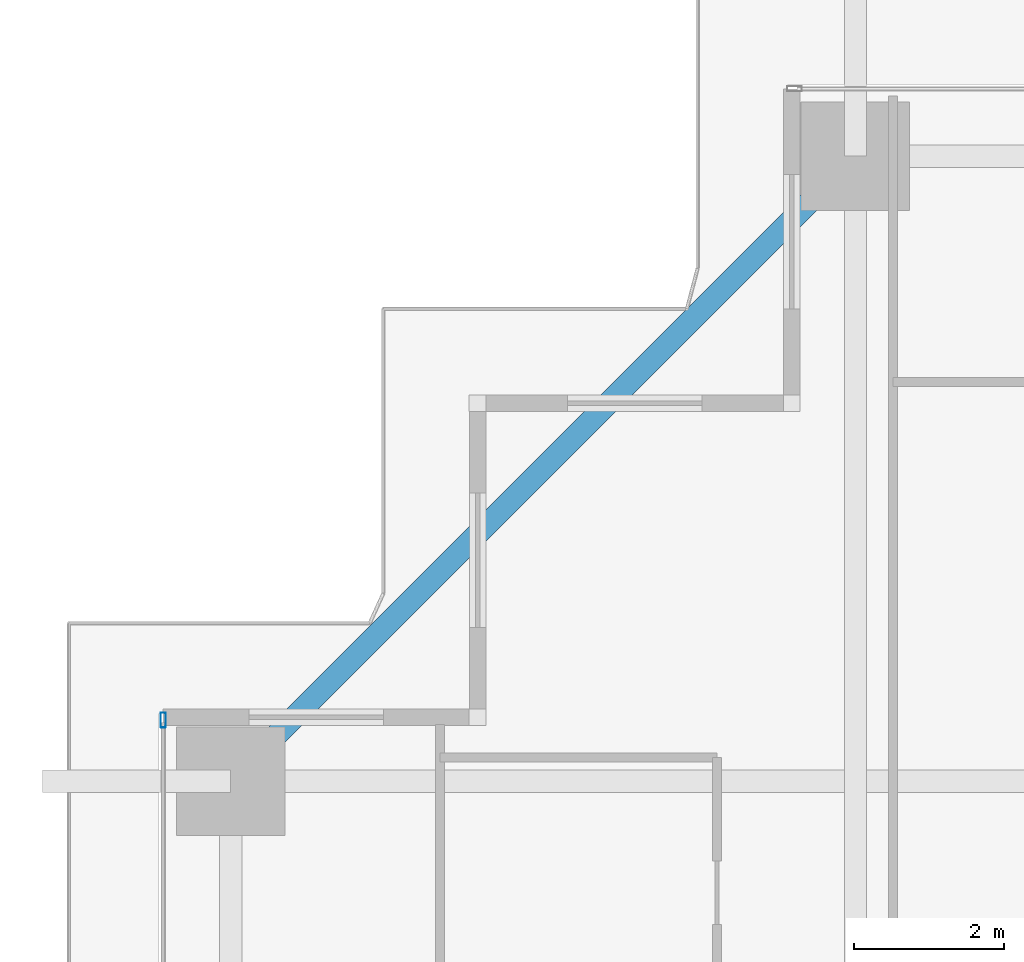
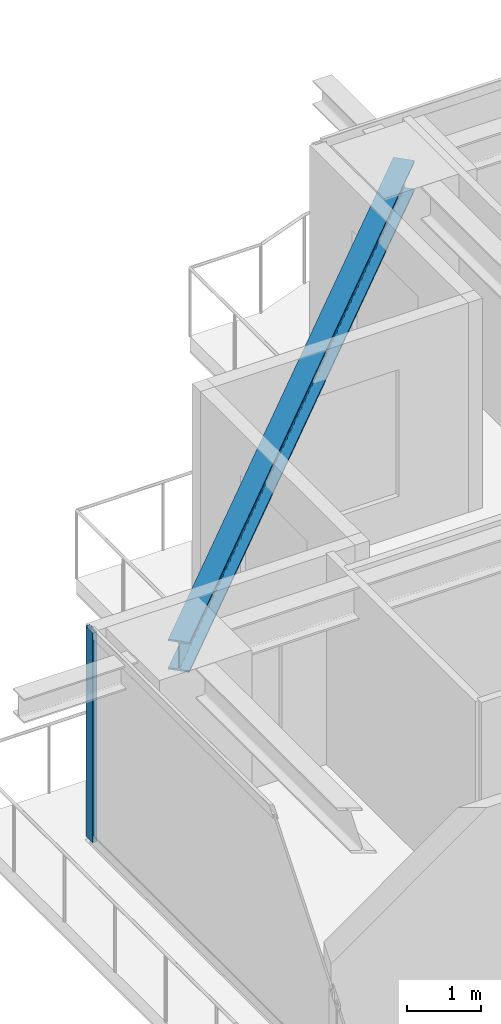
# One storey, part 18 of 38: 1 beam, 1 member, 1 element without a shape of its own.
"""IFC4 building model written with IfcOpenShell, lengths in metres."""

from ifc_helpers import new_model, si_unit, direction, frame, origin, origin_2d, place, context, subcontext, project, spatial, hollow_rectangle, i_section, extrude, source, transform, mapped, material, layer, layer_set, material_profile, profile_set, type_object, element, aggregate, save


model = new_model("IFC4")

# Units and contexts
model_context = context("Model", 3, precision=1e-05, world=origin(), true_north=direction((0.0, 1.0)))
body_context = subcontext(model_context, "Body", "Model", "MODEL_VIEW")
ifc_project = project(units=[si_unit("LENGTHUNIT", "METRE"), si_unit("AREAUNIT", "SQUARE_METRE"), si_unit("VOLUMEUNIT", "CUBIC_METRE"), si_unit("PLANEANGLEUNIT", "RADIAN"), si_unit("MASSUNIT", "GRAM", prefix="KILO")], contexts=[model_context])

# Site, building, storey
site_placement = place(None, origin())
site = spatial("IfcSite", under=ifc_project, at=site_placement, CompositionType="ELEMENT")
building_placement = place(site_placement, origin())
building = spatial("IfcBuilding", under=site, at=building_placement, Name="Serunith Strait Residences", CompositionType="ELEMENT")
storey_placement = place(building_placement, frame((0.0, 0.0, 82.949951171875)))
storey = spatial("IfcBuildingStorey", under=building, at=storey_placement, Name="L20", CompositionType="ELEMENT", Elevation=82.949951171875)

# Beam
ifc_material_1 = material(Name="Steel S355J2", Category="steel")
ifc_material_profile_1 = material_profile(ifc_material_1, i_section(OverallWidth=0.300048828125, OverallDepth=0.5, WebThickness=0.014404296875, FlangeThickness=0.028076171875, FilletRadius=0.027099609375, at=origin_2d()), Name="HEB 500")
ifc_profile_set_1 = profile_set([ifc_material_profile_1], Name="Steel S355J2")
beam_type = type_object("IfcBeamType", Name="BM-HEB500", PredefinedType="BEAM", material=ifc_profile_set_1)
shared_shape_1 = source(origin(), body_context, "Body", "SweptSolid", [
    extrude(i_section(OverallWidth=0.300048828125, OverallDepth=0.5, WebThickness=0.014404296875, FlangeThickness=0.028076171875, FilletRadius=0.027099609375, at=origin_2d()), origin(), (0.0, 0.0, 1.0), 11.808837890625),
])
beam_placement = place(storey_placement, frame((15.25, 49.300048828125, 3.20703125), z_axis=(-0.707106781187, -0.707106781187, 0.0), x_axis=(0.707106781187, -0.707106781187, 0.0)))
element("IfcBeam", 1, at=beam_placement, inside=storey, type_object=beam_type, Name="L20 Perimeter Ring Beam 12", PredefinedType="BEAM", context=body_context, shape_type="MappedRepresentation", body=[
    mapped(shared_shape_1, transform((0.0, 0.0, 0.0), scale=1.0)),
])

# Curtain wall, member
ifc_material_2 = material(Name="Pale-Champagne Anodised Aluminium", Category="aluminium")
ifc_layer = layer(ifc_material_2, 0.199951171875, Name="Pale-Champagne Anodised Aluminium")
ifc_layer_set = layer_set([ifc_layer], Name="Pale-Champagne Anodised Aluminium")
curtain_wall_type = type_object("IfcCurtainWallType", Name="CW-SYS1", PredefinedType="NOTDEFINED", material=ifc_layer_set)
curtain_wall_placement = place(storey_placement, origin())
curtain_wall = element("IfcCurtainWall", 2, at=curtain_wall_placement, inside=storey, type_object=curtain_wall_type, Name="L20 W Unitised Fritted Curtain Wall", PredefinedType="NOTDEFINED")
ifc_material_profile_2 = material_profile(ifc_material_2, hollow_rectangle(XDim=0.070068359375, YDim=0.199951171875, WallThickness=0.00390625, InnerFilletRadius=0.006103515625, OuterFilletRadius=0.010009765625, at=origin_2d()), Name="ALU 200x70x4")
ifc_profile_set_2 = profile_set([ifc_material_profile_2], Name="Pale-Champagne Anodised Aluminium")
member_type = type_object("IfcMemberType", Name="CW-SYS1-MULL", PredefinedType="MULLION", material=ifc_profile_set_2)
shared_shape_2 = source(origin(), body_context, "Body", "SweptSolid", [
    extrude(hollow_rectangle(XDim=0.070068359375, YDim=0.199951171875, WallThickness=0.00390625, InnerFilletRadius=0.006103515625, OuterFilletRadius=0.010009765625, at=origin_2d()), origin(), (0.0, 0.0, 1.0), 3.47509765625),
])
member_placement = place(storey_placement, frame((6.0, 41.764892578125, 0.0), z_axis=(0.0, 0.0, 1.0), x_axis=(1.0, 0.0, 0.0)))
member = element("IfcMember", 3, at=member_placement, type_object=member_type, Name="CW-1 mullion 1", PredefinedType="MULLION", context=body_context, shape_type="MappedRepresentation", body=[
    mapped(shared_shape_2, transform((0.0, 0.0, 0.0), scale=1.0)),
])
aggregate(curtain_wall, [member])

save(model, "model.ifc")
